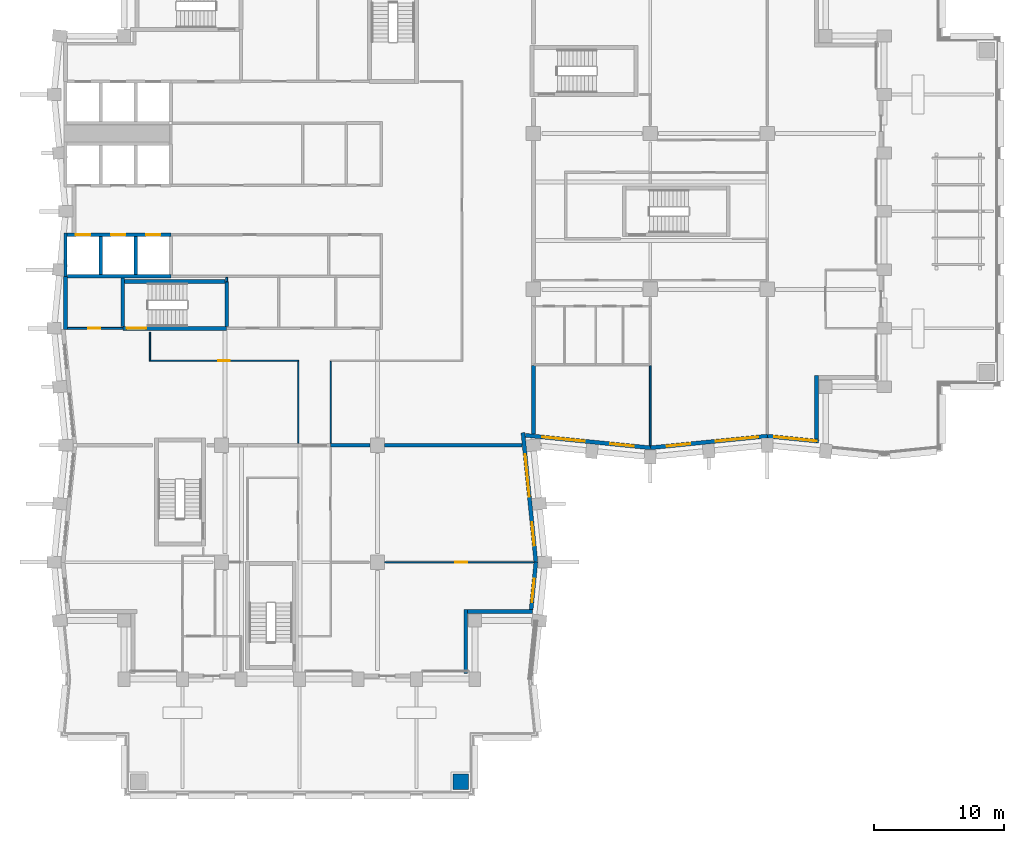
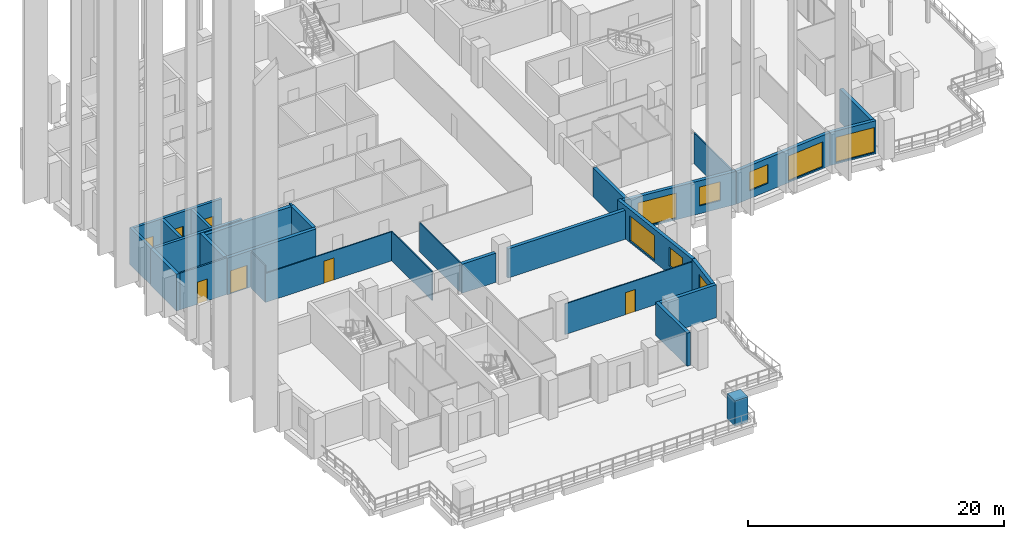
# One storey, part 11 of 18: 30 walls, 8 windows, 7 doors, 15 openings.
"""IFC4 building model written with IfcOpenShell, lengths in metres."""

from ifc_helpers import new_model, si_unit, direction, frame, frame_2d, origin, place, context, subcontext, project, spatial, polyline, rectangle, outline, extrude, material, layer, layer_set, type_object, element, fill, save


model = new_model("IFC4")

# Units and contexts
model_context = context("Model", 3, precision=1e-05, world=origin(), true_north=direction((0.0, 1.0)))
body_context = subcontext(model_context, "Body", "Model", "MODEL_VIEW")
ifc_project = project(units=[si_unit("LENGTHUNIT", "METRE"), si_unit("AREAUNIT", "SQUARE_METRE"), si_unit("VOLUMEUNIT", "CUBIC_METRE"), si_unit("PLANEANGLEUNIT", "RADIAN"), si_unit("MASSUNIT", "GRAM", prefix="KILO")], contexts=[model_context])

# Site, building, storey
site_placement = place(None, origin())
site = spatial("IfcSite", under=ifc_project, at=site_placement, CompositionType="ELEMENT")
building_placement = place(site_placement, origin())
building = spatial("IfcBuilding", under=site, at=building_placement, Name="Brondeck Convention Tower", CompositionType="ELEMENT")
storey_placement = place(building_placement, frame((0.0, 0.0, 143.39990234375)))
storey = spatial("IfcBuildingStorey", under=building, at=storey_placement, Name="L34", CompositionType="ELEMENT", Elevation=143.39990234375)

# Walls
ifc_material_1 = material(Name="Concrete compartment wall C30/37", Category="concrete")
ifc_layer_1 = layer(ifc_material_1, 0.300048828125)
ifc_layer_set_1 = layer_set([ifc_layer_1], Name="Compartment wall 300")
wall_type_1 = type_object("IfcWallType", Name="Compartment wall 300", PredefinedType="PARTITIONING", material=ifc_layer_set_1)
wall_1_placement = place(storey_placement, frame((20.39990234375, 27.0, 0.0), z_axis=(0.0, 0.0, 1.0), x_axis=(1.0, 0.0, 0.0)))
element("IfcWall", 1, at=wall_1_placement, inside=storey, type_object=wall_type_1, Name="FLR-L34-W025", PredefinedType="PARTITIONING", context=body_context, shape_type="SweptSolid", body=[
    extrude(rectangle(XDim=3.045166015625, YDim=0.300048828125, at=frame_2d((1.5224609375, 0.0))), origin(), (0.0, 0.0, 1.0), 2.780029296875),
])
wall_2_placement = place(storey_placement, frame((24.554931640625, 27.0, 0.0), z_axis=(0.0, 0.0, 1.0), x_axis=(1.0, 0.0, 0.0)))
element("IfcWall", 2, at=wall_2_placement, inside=storey, type_object=wall_type_1, Name="FLR-L34-W026", PredefinedType="PARTITIONING", context=body_context, shape_type="SweptSolid", body=[
    extrude(rectangle(XDim=10.57080078125, YDim=0.300048828125, at=frame_2d((5.285400390625, 0.0))), origin(), (0.0, 0.0, 1.0), 2.780029296875),
])
wall_3_placement = place(storey_placement, frame((36.0, 27.874267578125, 0.0), z_axis=(0.0, 0.0, 1.0), x_axis=(0.0, 1.0, 0.0)))
element("IfcWall", 3, at=wall_3_placement, inside=storey, type_object=wall_type_1, Name="FLR-L34-W029", PredefinedType="PARTITIONING", context=body_context, shape_type="SweptSolid", body=[
    extrude(rectangle(XDim=5.26318359375, YDim=0.300048828125, at=frame_2d((2.631591796875, 0.0))), origin(), (0.0, 0.0, 1.0), 2.780029296875),
])
ifc_material_2 = material(Name="Concrete C70/85", Category="concrete")
ifc_layer_2 = layer(ifc_material_2, 0.300048828125)
ifc_layer_set_2 = layer_set([ifc_layer_2], Name="Core outer wall 300 Concrete C70/85")
wall_type_2 = type_object("IfcWallType", Name="Core outer wall 300 Concrete C70/85", PredefinedType="SHEAR", material=ifc_layer_set_2)
wall_4_placement = place(storey_placement, frame((0.0, 35.925048828125, 0.0), z_axis=(0.0, 0.0, 1.0), x_axis=(0.0, 1.0, 0.0)))
element("IfcWall", 4, at=wall_4_placement, inside=storey, type_object=wall_type_2, Name="L34 core wall", PredefinedType="SHEAR", context=body_context, shape_type="SweptSolid", body=[
    extrude(rectangle(XDim=4.074951171875, YDim=0.300048828125, at=frame_2d((2.03759765625, 0.0))), origin(), (0.0, 0.0, 1.0), 3.5),
])

# Wall, opening, door
ifc_material_3 = material(Name="Fire-rated gypsum board partition")
ifc_layer_3 = layer(ifc_material_3, 0.14990234375)
ifc_layer_set_3 = layer_set([ifc_layer_3], Name="Core partition 150 EI 60")
wall_type_3 = type_object("IfcWallType", Name="Core partition 150 EI 60", PredefinedType="PARTITIONING", material=ifc_layer_set_3)
wall_5_placement = place(storey_placement, frame((0.14990234375, 36.0, 0.0), z_axis=(0.0, 0.0, 1.0), x_axis=(1.0, 0.0, 0.0)))
wall_5 = element("IfcWall", 5, at=wall_5_placement, inside=storey, type_object=wall_type_3, Name="L34 core wall", PredefinedType="PARTITIONING", context=body_context, shape_type="SweptSolid", body=[
    extrude(rectangle(XDim=4.25, YDim=0.14990234375, at=frame_2d((2.125, 0.0))), origin(), (0.0, 0.0, 1.0), 3.5),
])
opening_1_placement = place(wall_5_placement, frame((1.60009765625, 0.0, 0.0)))
opening_1 = element("IfcOpeningElement", 6, at=opening_1_placement, cuts=wall_5, Name="Opening C20-06", PredefinedType="OPENING", context=body_context, shape_type="SweptSolid", body=[
    extrude(rectangle(XDim=0.89990234375, YDim=2.10009765625, at=frame_2d((0.449951171875, 1.050048828125))), frame((0.0, 0.0849609375, 0.0), z_axis=(0.0, -1.0, 0.0), x_axis=(1.0, 0.0, 0.0)), (0.0, 0.0, 1.0), 0.169921875),
])
ifc_material_4 = material(Name="Steel fire door", Category="steel")
door_type_1 = type_object("IfcDoorType", Name="Room door 900x2100 EI 60", OperationType="NOTDEFINED", PredefinedType="DOOR", material=ifc_material_4)
door_1_placement = place(opening_1_placement, origin())
door_1 = element("IfcDoor", 7, at=door_1_placement, inside=storey, type_object=door_type_1, Name="L34 Room door FRW-1", OperationType="SINGLE_SWING_LEFT", OverallHeight=2.10009765625, OverallWidth=0.89990234375, PredefinedType="DOOR", context=body_context, shape_type="SweptSolid", body=[
    extrude(rectangle(XDim=0.89990234375, YDim=2.10009765625, at=frame_2d((0.449951171875, 1.050048828125))), frame((0.0, 0.02490234375, 0.0), z_axis=(0.0, -1.0, 0.0), x_axis=(1.0, 0.0, 0.0)), (0.0, 0.0, 1.0), 0.050048828125),
])
fill(opening_1, door_1)

# Walls
wall_6_placement = place(storey_placement, frame((12.39990234375, 39.60009765625, 0.0), z_axis=(0.0, 0.0, 1.0), x_axis=(0.0, 1.0, 0.0)))
element("IfcWall", 8, at=wall_6_placement, inside=storey, type_object=wall_type_3, Name="L34 core wall", PredefinedType="PARTITIONING", context=body_context, shape_type="SweptSolid", body=[
    extrude(rectangle(XDim=0.324951171875, YDim=0.14990234375, at=frame_2d((0.16259765625, 0.0))), origin(), (0.0, 0.0, 1.0), 3.5),
])
ifc_material_5 = material(Name="Precast concrete C50/60 bronze finish", Category="concrete")
ifc_layer_4 = layer(ifc_material_5, 0.070068359375, Name="Bronze precast facing")
ifc_material_6 = material(Name="Mineral wool")
ifc_layer_5 = layer(ifc_material_6, 0.159912109375, Name="Insulation")
ifc_material_7 = material(Name="Concrete C35/45", Category="concrete")
ifc_layer_6 = layer(ifc_material_7, 0.070068359375, Name="Backing")
ifc_layer_set_4 = layer_set([ifc_layer_4, ifc_layer_5, ifc_layer_6], Name="External infill wall, precast concrete C50/60 bronze facing")
wall_type_4 = type_object("IfcWallType", Name="External infill wall, precast concrete C50/60 bronze facing", PredefinedType="SOLIDWALL", material=ifc_layer_set_4)
wall_7_placement = place(storey_placement, frame((30.800048828125, 14.35009765625, 0.0), z_axis=(0.0, 0.0, 1.0), x_axis=(0.0, -1.0, 0.0)))
element("IfcWall", 9, at=wall_7_placement, inside=storey, type_object=wall_type_4, Name="ENV-EW-L34-P1-NC-SEB9-01", PredefinedType="SOLIDWALL", context=body_context, shape_type="SweptSolid", body=[
    extrude(rectangle(XDim=4.900146484375, YDim=0.300048828125, at=frame_2d((2.4501953125, 0.0))), origin(), (0.0, 0.0, 1.0), 3.150146484375),
])
wall_8_placement = place(storey_placement, frame((35.952392578125, 14.199951171875, 0.0), z_axis=(0.0, 0.0, 1.0), x_axis=(-1.0, 0.0, 0.0)))
element("IfcWall", 10, at=wall_8_placement, inside=storey, type_object=wall_type_4, Name="ENV-EW-L34-P1-NC-SEB9-02", PredefinedType="SOLIDWALL", context=body_context, shape_type="SweptSolid", body=[
    extrude(rectangle(XDim=5.00244140625, YDim=0.300048828125, at=frame_2d((2.501220703125, 0.0))), origin(), (0.0, 0.0, 1.0), 3.150146484375),
])

# Wall, opening, window
wall_9_placement = place(storey_placement, frame((36.197998046875, 18.014892578125, 0.0), z_axis=(0.0, 0.0, 1.0), x_axis=(-0.099529980022, -0.99503456376, 0.0)))
wall_9 = element("IfcWall", 11, at=wall_9_placement, inside=storey, type_object=wall_type_4, Name="ENV-EW-L34-P1-B-E-02", PredefinedType="SOLIDWALL", context=body_context, shape_type="SweptSolid", body=[
    extrude(rectangle(XDim=3.681884765625, YDim=0.300048828125, at=frame_2d((1.8408203125, 0.0))), origin(), (0.0, 0.0, 1.0), 3.150146484375),
])
opening_2_placement = place(wall_9_placement, frame((1.30615234375, 0.0, 0.75)))
opening_2 = element("IfcOpeningElement", 12, at=opening_2_placement, cuts=wall_9, Name="Opening W10", PredefinedType="OPENING", context=body_context, shape_type="SweptSolid", body=[
    extrude(rectangle(XDim=1.800048828125, YDim=1.800048828125, at=frame_2d((0.89990234375, 0.89990234375))), frame((0.0, 0.159912109375, 0.0), z_axis=(0.0, -1.0, 0.0), x_axis=(1.0, 0.0, 0.0)), (0.0, 0.0, 1.0), 0.320068359375),
])
ifc_material_8 = material(Name="Bronze tinted double glazing", Category="glass")
window_type_1 = type_object("IfcWindowType", Name="Punched window, bronze tinted", PartitioningType="SINGLE_PANEL", PredefinedType="WINDOW", material=ifc_material_8)
window_1_placement = place(opening_2_placement, origin())
window_1 = element("IfcWindow", 13, at=window_1_placement, inside=storey, type_object=window_type_1, Name="ENV-WN-L34-P1-B-E-02", OverallHeight=1.800048828125, OverallWidth=1.800048828125, PartitioningType="SINGLE_PANEL", PredefinedType="WINDOW", context=body_context, shape_type="SweptSolid", body=[
    extrude(rectangle(XDim=1.800048828125, YDim=1.800048828125, at=frame_2d((0.89990234375, 0.89990234375))), frame((0.0, 0.030029296875, 0.0), z_axis=(0.0, -1.0, 0.0), x_axis=(1.0, 0.0, 0.0)), (0.0, 0.0, 1.0), 0.06005859375),
])
fill(opening_2, window_1)

# Wall, openings, windows
wall_10_placement = place(storey_placement, frame((35.2001953125, 27.964111328125, 0.0), z_axis=(0.0, 0.0, 1.0), x_axis=(0.099501297882, -0.995037432321, 0.0)))
wall_10 = element("IfcWall", 14, at=wall_10_placement, inside=storey, type_object=wall_type_4, Name="ENV-EW-L34-P1-B-E-01", PredefinedType="SOLIDWALL", context=body_context, shape_type="SweptSolid", body=[
    extrude(rectangle(XDim=9.98388671875, YDim=0.300048828125, at=frame_2d((4.991943359375, 0.0))), origin(), (0.0, 0.0, 1.0), 3.150146484375),
])
opening_3_placement = place(wall_10_placement, frame((1.650146484375, 0.0, 0.14990234375)))
opening_3 = element("IfcOpeningElement", 15, at=opening_3_placement, cuts=wall_10, Name="Opening W9", PredefinedType="OPENING", context=body_context, shape_type="SweptSolid", body=[
    extrude(rectangle(XDim=3.300048828125, YDim=2.39990234375, at=frame_2d((1.64990234375, 1.199951171875))), frame((0.0, 0.159912109375, 0.0), z_axis=(0.0, -1.0, 0.0), x_axis=(1.0, 0.0, 0.0)), (0.0, 0.0, 1.0), 0.320068359375),
])
opening_4_placement = place(wall_10_placement, frame((6.922607421875, 0.0, 0.75)))
opening_4 = element("IfcOpeningElement", 16, at=opening_4_placement, cuts=wall_10, Name="Opening W10", PredefinedType="OPENING", context=body_context, shape_type="SweptSolid", body=[
    extrude(rectangle(XDim=1.800048828125, YDim=1.800048828125, at=frame_2d((0.89990234375, 0.89990234375))), frame((0.0, 0.159912109375, 0.0), z_axis=(0.0, -1.0, 0.0), x_axis=(1.0, 0.0, 0.0)), (0.0, 0.0, 1.0), 0.320068359375),
])
window_type_2 = type_object("IfcWindowType", Name="Glazed flute window, bronze tinted", PartitioningType="SINGLE_PANEL", PredefinedType="WINDOW", material=ifc_material_8)
window_2_placement = place(opening_3_placement, origin())
window_2 = element("IfcWindow", 17, at=window_2_placement, inside=storey, type_object=window_type_2, Name="ENV-WN-L34-P1-B-E-00", OverallHeight=2.39990234375, OverallWidth=3.300048828125, PartitioningType="SINGLE_PANEL", PredefinedType="WINDOW", context=body_context, shape_type="SweptSolid", body=[
    extrude(rectangle(XDim=3.300048828125, YDim=2.39990234375, at=frame_2d((1.64990234375, 1.199951171875))), frame((0.0, 0.030029296875, 0.0), z_axis=(0.0, -1.0, 0.0), x_axis=(1.0, 0.0, 0.0)), (0.0, 0.0, 1.0), 0.06005859375),
])
fill(opening_3, window_2)
window_3_placement = place(opening_4_placement, origin())
window_3 = element("IfcWindow", 18, at=window_3_placement, inside=storey, type_object=window_type_1, Name="ENV-WN-L34-P1-B-E-01", OverallHeight=1.800048828125, OverallWidth=1.800048828125, PartitioningType="SINGLE_PANEL", PredefinedType="WINDOW", context=body_context, shape_type="SweptSolid", body=[
    extrude(rectangle(XDim=1.800048828125, YDim=1.800048828125, at=frame_2d((0.89990234375, 0.89990234375))), frame((0.0, 0.030029296875, 0.0), z_axis=(0.0, -1.0, 0.0), x_axis=(1.0, 0.0, 0.0)), (0.0, 0.0, 1.0), 0.06005859375),
])
fill(opening_4, window_3)

wall_11_placement = place(storey_placement, frame((45.014892578125, 26.802001953125, 0.0), z_axis=(0.0, 0.0, 1.0), x_axis=(-0.995037689759, 0.099498723402, 0.0)))
wall_11 = element("IfcWall", 19, at=wall_11_placement, inside=storey, type_object=wall_type_4, Name="ENV-EW-L34-P1-A-S-00", PredefinedType="SOLIDWALL", context=body_context, shape_type="SweptSolid", body=[
    extrude(rectangle(XDim=9.677490234375, YDim=0.300048828125, at=frame_2d((4.8388671875, 0.0))), origin(), (0.0, 0.0, 1.0), 3.150146484375),
])
opening_5_placement = place(wall_11_placement, frame((1.30615234375, 0.0, 0.75)))
opening_5 = element("IfcOpeningElement", 20, at=opening_5_placement, cuts=wall_11, Name="Opening W10", PredefinedType="OPENING", context=body_context, shape_type="SweptSolid", body=[
    extrude(rectangle(XDim=1.800048828125, YDim=1.800048828125, at=frame_2d((0.89990234375, 0.89990234375))), frame((0.0, 0.159912109375, 0.0), z_axis=(0.0, -1.0, 0.0), x_axis=(1.0, 0.0, 0.0)), (0.0, 0.0, 1.0), 0.320068359375),
])
opening_6_placement = place(wall_11_placement, frame((5.07861328125, 0.0, 0.14990234375)))
opening_6 = element("IfcOpeningElement", 21, at=opening_6_placement, cuts=wall_11, Name="Opening W9", PredefinedType="OPENING", context=body_context, shape_type="SweptSolid", body=[
    extrude(rectangle(XDim=3.300048828125, YDim=2.39990234375, at=frame_2d((1.64990234375, 1.199951171875))), frame((0.0, 0.159912109375, 0.0), z_axis=(0.0, -1.0, 0.0), x_axis=(1.0, 0.0, 0.0)), (0.0, 0.0, 1.0), 0.320068359375),
])
window_4_placement = place(opening_6_placement, origin())
window_4 = element("IfcWindow", 22, at=window_4_placement, inside=storey, type_object=window_type_2, Name="ENV-WN-L34-P1-A-S-00", OverallHeight=2.39990234375, OverallWidth=3.300048828125, PartitioningType="SINGLE_PANEL", PredefinedType="WINDOW", context=body_context, shape_type="SweptSolid", body=[
    extrude(rectangle(XDim=3.300048828125, YDim=2.39990234375, at=frame_2d((1.64990234375, 1.199951171875))), frame((0.0, 0.030029296875, 0.0), z_axis=(0.0, -1.0, 0.0), x_axis=(1.0, 0.0, 0.0)), (0.0, 0.0, 1.0), 0.06005859375),
])
fill(opening_6, window_4)
window_5_placement = place(opening_5_placement, origin())
window_5 = element("IfcWindow", 23, at=window_5_placement, inside=storey, type_object=window_type_1, Name="ENV-WN-L34-P1-A-S-01", OverallHeight=1.800048828125, OverallWidth=1.800048828125, PartitioningType="SINGLE_PANEL", PredefinedType="WINDOW", context=body_context, shape_type="SweptSolid", body=[
    extrude(rectangle(XDim=1.800048828125, YDim=1.800048828125, at=frame_2d((0.89990234375, 0.89990234375))), frame((0.0, 0.030029296875, 0.0), z_axis=(0.0, -1.0, 0.0), x_axis=(1.0, 0.0, 0.0)), (0.0, 0.0, 1.0), 0.06005859375),
])
fill(opening_5, window_5)

wall_12_placement = place(storey_placement, frame((54.014892578125, 27.705078125, 0.0), z_axis=(0.0, 0.0, 1.0), x_axis=(-0.995035316196, -0.099522457379, 0.0)))
wall_12 = element("IfcWall", 24, at=wall_12_placement, inside=storey, type_object=wall_type_4, Name="ENV-EW-L34-P1-A-S-02", PredefinedType="SOLIDWALL", context=body_context, shape_type="SweptSolid", body=[
    extrude(rectangle(XDim=9.030029296875, YDim=0.300048828125, at=frame_2d((4.51513671875, 0.0))), origin(), (0.0, 0.0, 1.0), 3.150146484375),
])
opening_7_placement = place(wall_12_placement, frame((0.6962890625, 0.0, 0.14990234375)))
opening_7 = element("IfcOpeningElement", 25, at=opening_7_placement, cuts=wall_12, Name="Opening W9", PredefinedType="OPENING", context=body_context, shape_type="SweptSolid", body=[
    extrude(rectangle(XDim=3.300048828125, YDim=2.39990234375, at=frame_2d((1.64990234375, 1.199951171875))), frame((0.0, 0.159912109375, 0.0), z_axis=(0.0, -1.0, 0.0), x_axis=(1.0, 0.0, 0.0)), (0.0, 0.0, 1.0), 0.320068359375),
])
opening_8_placement = place(wall_12_placement, frame((5.968505859375, 0.0, 0.75)))
opening_8 = element("IfcOpeningElement", 26, at=opening_8_placement, cuts=wall_12, Name="Opening W10", PredefinedType="OPENING", context=body_context, shape_type="SweptSolid", body=[
    extrude(rectangle(XDim=1.800048828125, YDim=1.800048828125, at=frame_2d((0.89990234375, 0.89990234375))), frame((0.0, 0.159912109375, 0.0), z_axis=(0.0, -1.0, 0.0), x_axis=(1.0, 0.0, 0.0)), (0.0, 0.0, 1.0), 0.320068359375),
])
window_6_placement = place(opening_7_placement, origin())
window_6 = element("IfcWindow", 27, at=window_6_placement, inside=storey, type_object=window_type_2, Name="ENV-WN-L34-P1-A-S-03", OverallHeight=2.39990234375, OverallWidth=3.300048828125, PartitioningType="SINGLE_PANEL", PredefinedType="WINDOW", context=body_context, shape_type="SweptSolid", body=[
    extrude(rectangle(XDim=3.300048828125, YDim=2.39990234375, at=frame_2d((1.64990234375, 1.199951171875))), frame((0.0, 0.030029296875, 0.0), z_axis=(0.0, -1.0, 0.0), x_axis=(1.0, 0.0, 0.0)), (0.0, 0.0, 1.0), 0.06005859375),
])
fill(opening_7, window_6)
window_7_placement = place(opening_8_placement, origin())
window_7 = element("IfcWindow", 28, at=window_7_placement, inside=storey, type_object=window_type_1, Name="ENV-WN-L34-P1-A-S-02", OverallHeight=1.800048828125, OverallWidth=1.800048828125, PartitioningType="SINGLE_PANEL", PredefinedType="WINDOW", context=body_context, shape_type="SweptSolid", body=[
    extrude(rectangle(XDim=1.800048828125, YDim=1.800048828125, at=frame_2d((0.89990234375, 0.89990234375))), frame((0.0, 0.030029296875, 0.0), z_axis=(0.0, -1.0, 0.0), x_axis=(1.0, 0.0, 0.0)), (0.0, 0.0, 1.0), 0.06005859375),
])
fill(opening_8, window_7)

# Wall, opening, window
wall_13_placement = place(storey_placement, frame((57.96484375, 27.306884765625, 0.0), z_axis=(0.0, 0.0, 1.0), x_axis=(-0.99503596767, 0.099515943658, 0.0)))
wall_13 = element("IfcWall", 29, at=wall_13_placement, inside=storey, type_object=wall_type_4, Name="ENV-EW-L34-P1-A-S-04", PredefinedType="SOLIDWALL", context=body_context, shape_type="SweptSolid", body=[
    extrude(rectangle(XDim=3.95458984375, YDim=0.300048828125, at=frame_2d((1.977294921875, 0.0))), origin(), (0.0, 0.0, 1.0), 3.150146484375),
])
opening_9_placement = place(wall_13_placement, frame((0.14990234375, 0.0, 0.14990234375)))
opening_9 = element("IfcOpeningElement", 30, at=opening_9_placement, cuts=wall_13, Name="Opening W9", PredefinedType="OPENING", context=body_context, shape_type="SweptSolid", body=[
    extrude(rectangle(XDim=3.300048828125, YDim=2.39990234375, at=frame_2d((1.64990234375, 1.199951171875))), frame((0.0, 0.159912109375, 0.0), z_axis=(0.0, -1.0, 0.0), x_axis=(1.0, 0.0, 0.0)), (0.0, 0.0, 1.0), 0.320068359375),
])
window_8_placement = place(opening_9_placement, origin())
window_8 = element("IfcWindow", 31, at=window_8_placement, inside=storey, type_object=window_type_2, Name="ENV-WN-L34-P1-A-S-04", OverallHeight=2.39990234375, OverallWidth=3.300048828125, PartitioningType="SINGLE_PANEL", PredefinedType="WINDOW", context=body_context, shape_type="SweptSolid", body=[
    extrude(rectangle(XDim=3.300048828125, YDim=2.39990234375, at=frame_2d((1.64990234375, 1.199951171875))), frame((0.0, 0.030029296875, 0.0), z_axis=(0.0, -1.0, 0.0), x_axis=(1.0, 0.0, 0.0)), (0.0, 0.0, 1.0), 0.06005859375),
])
fill(opening_9, window_8)

# Walls
wall_14_placement = place(storey_placement, frame((57.800048828125, 32.35009765625, 0.0), z_axis=(0.0, 0.0, 1.0), x_axis=(0.0, -1.0, 0.0)))
element("IfcWall", 32, at=wall_14_placement, inside=storey, type_object=wall_type_4, Name="ENV-EW-L34-P1-NC-SEA63-01", PredefinedType="SOLIDWALL", context=body_context, shape_type="SweptSolid", body=[
    extrude(rectangle(XDim=4.87060546875, YDim=0.300048828125, at=frame_2d((2.435302734375, 0.0))), origin(), (0.0, 0.0, 1.0), 3.150146484375),
])
ifc_layer_7 = layer(ifc_material_2, 0.25)
ifc_layer_set_5 = layer_set([ifc_layer_7], Name="Lift shaft wall 250 Concrete C70/85")
wall_type_5 = type_object("IfcWallType", Name="Lift shaft wall 250 Concrete C70/85", PredefinedType="SHEAR", material=ifc_layer_set_5)
wall_15_placement = place(storey_placement, frame((0.14990234375, 40.0, 0.0), z_axis=(0.0, 0.0, 1.0), x_axis=(1.0, 0.0, 0.0)))
element("IfcWall", 33, at=wall_15_placement, inside=storey, type_object=wall_type_5, Name="L34 core wall", PredefinedType="SHEAR", context=body_context, shape_type="SweptSolid", body=[
    extrude(rectangle(XDim=7.9501953125, YDim=0.25, at=frame_2d((3.97509765625, 0.0))), origin(), (0.0, 0.0, 1.0), 3.5),
])

# Wall, openings, doors
wall_16_placement = place(storey_placement, frame((0.125, 43.199951171875, 0.0), z_axis=(0.0, 0.0, 1.0), x_axis=(1.0, 0.0, 0.0)))
wall_16 = element("IfcWall", 34, at=wall_16_placement, inside=storey, type_object=wall_type_5, Name="L34 core wall", PredefinedType="SHEAR", context=body_context, shape_type="SweptSolid", body=[
    extrude(rectangle(XDim=7.97509765625, YDim=0.25, at=frame_2d((3.987548828125, 0.0))), origin(), (0.0, 0.0, 1.0), 3.5),
])
opening_10_placement = place(wall_16_placement, frame((0.675048828125, 0.0, 0.0)))
opening_10 = element("IfcOpeningElement", 35, at=opening_10_placement, cuts=wall_16, Name="Opening C20-23", PredefinedType="OPENING", context=body_context, shape_type="SweptSolid", body=[
    extrude(rectangle(XDim=1.10009765625, YDim=2.10009765625, at=frame_2d((0.550048828125, 1.050048828125))), frame((0.0, 0.135009765625, 0.0), z_axis=(0.0, -1.0, 0.0), x_axis=(1.0, 0.0, 0.0)), (0.0, 0.0, 1.0), 0.27001953125),
])
opening_11_placement = place(wall_16_placement, frame((3.375, 0.0, 0.0)))
opening_11 = element("IfcOpeningElement", 36, at=opening_11_placement, cuts=wall_16, Name="Opening C20-24", PredefinedType="OPENING", context=body_context, shape_type="SweptSolid", body=[
    extrude(rectangle(XDim=1.10009765625, YDim=2.10009765625, at=frame_2d((0.550048828125, 1.050048828125))), frame((0.0, 0.135009765625, 0.0), z_axis=(0.0, -1.0, 0.0), x_axis=(1.0, 0.0, 0.0)), (0.0, 0.0, 1.0), 0.27001953125),
])
opening_12_placement = place(wall_16_placement, frame((6.074951171875, 0.0, 0.0)))
opening_12 = element("IfcOpeningElement", 37, at=opening_12_placement, cuts=wall_16, Name="Opening C20-25", PredefinedType="OPENING", context=body_context, shape_type="SweptSolid", body=[
    extrude(rectangle(XDim=1.10009765625, YDim=2.10009765625, at=frame_2d((0.550048828125, 1.050048828125))), frame((0.0, 0.135009765625, 0.0), z_axis=(0.0, -1.0, 0.0), x_axis=(1.0, 0.0, 0.0)), (0.0, 0.0, 1.0), 0.27001953125),
])
ifc_material_9 = material(Name="Stainless steel lift door", Category="steel")
door_type_2 = type_object("IfcDoorType", Name="Lift landing door 1100x2100 EI 180", OperationType="DOUBLE_DOOR_SLIDING", PredefinedType="DOOR", material=ifc_material_9)
door_2_placement = place(opening_10_placement, origin())
door_2 = element("IfcDoor", 38, at=door_2_placement, inside=storey, type_object=door_type_2, Name="L34 Lift landing door HR1", OperationType="DOUBLE_DOOR_SLIDING", OverallHeight=2.10009765625, OverallWidth=1.10009765625, PredefinedType="DOOR", context=body_context, shape_type="SweptSolid", body=[
    extrude(rectangle(XDim=1.10009765625, YDim=2.10009765625, at=frame_2d((0.550048828125, 1.050048828125))), frame((0.0, 0.02490234375, 0.0), z_axis=(0.0, -1.0, 0.0), x_axis=(1.0, 0.0, 0.0)), (0.0, 0.0, 1.0), 0.050048828125),
])
fill(opening_10, door_2)
door_3_placement = place(opening_11_placement, origin())
door_3 = element("IfcDoor", 39, at=door_3_placement, inside=storey, type_object=door_type_2, Name="L34 Lift landing door HR2", OperationType="DOUBLE_DOOR_SLIDING", OverallHeight=2.10009765625, OverallWidth=1.10009765625, PredefinedType="DOOR", context=body_context, shape_type="SweptSolid", body=[
    extrude(rectangle(XDim=1.10009765625, YDim=2.10009765625, at=frame_2d((0.550048828125, 1.050048828125))), frame((0.0, 0.02490234375, 0.0), z_axis=(0.0, -1.0, 0.0), x_axis=(1.0, 0.0, 0.0)), (0.0, 0.0, 1.0), 0.050048828125),
])
fill(opening_11, door_3)
door_4_placement = place(opening_12_placement, origin())
door_4 = element("IfcDoor", 40, at=door_4_placement, inside=storey, type_object=door_type_2, Name="L34 Lift landing door HR3", OperationType="DOUBLE_DOOR_SLIDING", OverallHeight=2.10009765625, OverallWidth=1.10009765625, PredefinedType="DOOR", context=body_context, shape_type="SweptSolid", body=[
    extrude(rectangle(XDim=1.10009765625, YDim=2.10009765625, at=frame_2d((0.550048828125, 1.050048828125))), frame((0.0, 0.02490234375, 0.0), z_axis=(0.0, -1.0, 0.0), x_axis=(1.0, 0.0, 0.0)), (0.0, 0.0, 1.0), 0.050048828125),
])
fill(opening_12, door_4)

# Walls
wall_17_placement = place(storey_placement, frame((0.0, 40.0, 0.0), z_axis=(0.0, 0.0, 1.0), x_axis=(0.0, 1.0, 0.0)))
element("IfcWall", 41, at=wall_17_placement, inside=storey, type_object=wall_type_5, Name="L34 core wall", PredefinedType="SHEAR", context=body_context, shape_type="SweptSolid", body=[
    extrude(rectangle(XDim=3.324951171875, YDim=0.25, at=frame_2d((1.66259765625, 0.0))), origin(), (0.0, 0.0, 1.0), 3.5),
])
for number, where, z_axis, x_axis, name in (
    (42, (2.699951171875, 40.125, 0.0), (0.0, 0.0, 1.0), (0.0, 1.0, 0.0), "L34 core wall"),
    (43, (5.39990234375, 40.125, 0.0), (0.0, 0.0, 1.0), (0.0, 1.0, 0.0), "L34 core wall"),
):
    element("IfcWall", number, at=place(storey_placement, frame(where, z_axis=z_axis, x_axis=x_axis)), inside=storey, type_object=wall_type_5, Name=name, PredefinedType="SHEAR", context=body_context, shape_type="SweptSolid", body=[
        extrude(rectangle(XDim=2.949951171875, YDim=0.25, at=frame_2d((1.47509765625, 0.0))), origin(), (0.0, 0.0, 1.0), 3.5),
    ])
ifc_material_10 = material(Name="Gypsum board shaft wall on steel studs", Category="steel")
ifc_layer_8 = layer(ifc_material_10, 0.125)
ifc_layer_set_6 = layer_set([ifc_layer_8], Name="Riser wall 125")
wall_type_6 = type_object("IfcWallType", Name="Riser wall 125", PredefinedType="PARTITIONING", material=ifc_layer_set_6)
wall_18_placement = place(storey_placement, frame((45.0, 33.137451171875, 0.0), z_axis=(0.0, 0.0, 1.0), x_axis=(0.0, -1.0, 0.0)))
element("IfcWall", 44, at=wall_18_placement, inside=storey, type_object=wall_type_6, Name="FLR-L34-W030", PredefinedType="PARTITIONING", context=body_context, shape_type="SweptSolid", body=[
    extrude(rectangle(XDim=6.163330078125, YDim=0.125, at=frame_2d((3.08154296875, 0.0))), origin(), (0.0, 0.0, 1.0), 2.93017578125),
])

# Wall, opening, door
ifc_material_11 = material(Name="Gypsum board partition on steel studs", Category="steel")
ifc_layer_9 = layer(ifc_material_11, 0.10009765625)
ifc_layer_set_7 = layer_set([ifc_layer_9], Name="Room partition 100")
wall_type_7 = type_object("IfcWallType", Name="Room partition 100", PredefinedType="PARTITIONING", material=ifc_layer_set_7)
wall_19_placement = place(storey_placement, frame((36.02587890625, 18.0, 0.0), z_axis=(0.0, 0.0, 1.0), x_axis=(-1.0, 0.0, 0.0)))
wall_19 = element("IfcWall", 45, at=wall_19_placement, inside=storey, type_object=wall_type_7, Name="FLR-L34-W013", PredefinedType="PARTITIONING", context=body_context, shape_type="SweptSolid", body=[
    extrude(rectangle(XDim=11.470947265625, YDim=0.10009765625, at=frame_2d((5.7353515625, 0.0))), origin(), (0.0, 0.0, 1.0), 2.93017578125),
])
opening_13_placement = place(wall_19_placement, frame((5.125732421875, 0.0, 0.0)))
opening_13 = element("IfcOpeningElement", 46, at=opening_13_placement, cuts=wall_19, Name="Opening OF-F-015", PredefinedType="OPENING", context=body_context, shape_type="SweptSolid", body=[
    extrude(rectangle(XDim=0.89990234375, YDim=2.10009765625, at=frame_2d((0.449951171875, 1.050048828125))), frame((0.0, 0.06005859375, 0.0), z_axis=(0.0, -1.0, 0.0), x_axis=(1.0, 0.0, 0.0)), (0.0, 0.0, 1.0), 0.1201171875),
])
ifc_material_12 = material(Name="Solid timber door leaf", Category="wood")
door_type_3 = type_object("IfcDoorType", Name="Single door 900", OperationType="NOTDEFINED", PredefinedType="DOOR", material=ifc_material_12)
door_5_placement = place(opening_13_placement, origin())
door_5 = element("IfcDoor", 47, at=door_5_placement, inside=storey, type_object=door_type_3, Name="Door OF-F-015", OperationType="SINGLE_SWING_LEFT", OverallHeight=2.10009765625, OverallWidth=0.89990234375, PredefinedType="DOOR", context=body_context, shape_type="SweptSolid", body=[
    extrude(rectangle(XDim=0.89990234375, YDim=2.10009765625, at=frame_2d((0.449951171875, 1.050048828125))), frame((0.0, 0.02490234375, 0.0), z_axis=(0.0, -1.0, 0.0), x_axis=(1.0, 0.0, 0.0)), (0.0, 0.0, 1.0), 0.050048828125),
])
fill(opening_13, door_5)

# Walls
for number, where, z_axis, x_axis, name in (
    (48, (17.89990234375, 27.169921875, 0.0), (0.0, 0.0, 1.0), (0.0, 1.0, 0.0), "FLR-L34-W027"),
    (49, (20.39990234375, 33.449951171875, 0.0), (0.0, 0.0, 1.0), (0.0, -1.0, 0.0), "FLR-L34-W036"),
):
    element("IfcWall", number, at=place(storey_placement, frame(where, z_axis=z_axis, x_axis=x_axis)), inside=storey, type_object=wall_type_7, Name=name, PredefinedType="PARTITIONING", context=body_context, shape_type="SweptSolid", body=[
        extrude(rectangle(XDim=6.280029296875, YDim=0.10009765625, at=frame_2d((3.14013671875, 0.0))), origin(), (0.0, 0.0, 1.0), 2.780029296875),
    ])

# Wall, opening, door
wall_20_placement = place(storey_placement, frame((17.949951171875, 33.5, 0.0), z_axis=(0.0, 0.0, 1.0), x_axis=(-1.0, 0.0, 0.0)))
wall_20 = element("IfcWall", 50, at=wall_20_placement, inside=storey, type_object=wall_type_7, Name="FLR-L34-W037", PredefinedType="PARTITIONING", context=body_context, shape_type="SweptSolid", body=[
    extrude(rectangle(XDim=11.5, YDim=0.10009765625, at=frame_2d((5.75, 0.0))), origin(), (0.0, 0.0, 1.0), 2.780029296875),
])
opening_14_placement = place(wall_20_placement, frame((5.300048828125, 0.0, 0.0)))
opening_14 = element("IfcOpeningElement", 51, at=opening_14_placement, cuts=wall_20, Name="Opening OF-F-017", PredefinedType="OPENING", context=body_context, shape_type="SweptSolid", body=[
    extrude(rectangle(XDim=0.89990234375, YDim=2.10009765625, at=frame_2d((0.449951171875, 1.050048828125))), frame((0.0, 0.06005859375, 0.0), z_axis=(0.0, -1.0, 0.0), x_axis=(1.0, 0.0, 0.0)), (0.0, 0.0, 1.0), 0.1201171875),
])
door_6_placement = place(opening_14_placement, origin())
door_6 = element("IfcDoor", 52, at=door_6_placement, inside=storey, type_object=door_type_3, Name="Door OF-F-017", OperationType="SINGLE_SWING_LEFT", OverallHeight=2.10009765625, OverallWidth=0.89990234375, PredefinedType="DOOR", context=body_context, shape_type="SweptSolid", body=[
    extrude(rectangle(XDim=0.89990234375, YDim=2.10009765625, at=frame_2d((0.449951171875, 1.050048828125))), frame((0.0, 0.02490234375, 0.0), z_axis=(0.0, -1.0, 0.0), x_axis=(1.0, 0.0, 0.0)), (0.0, 0.0, 1.0), 0.050048828125),
])
fill(opening_14, door_6)

# Wall
wall_21_placement = place(storey_placement, frame((6.5, 33.550048828125, 0.0), z_axis=(0.0, 0.0, 1.0), x_axis=(0.0, 1.0, 0.0)))
element("IfcWall", 53, at=wall_21_placement, inside=storey, type_object=wall_type_7, Name="FLR-L34-W039", PredefinedType="PARTITIONING", context=body_context, shape_type="SweptSolid", body=[
    extrude(rectangle(XDim=2.14990234375, YDim=0.10009765625, at=frame_2d((1.074951171875, 0.0))), origin(), (0.0, 0.0, 1.0), 3.47998046875),
])

# Wall, opening, door
ifc_layer_10 = layer(ifc_material_2, 0.300048828125)
ifc_layer_set_8 = layer_set([ifc_layer_10], Name="Stair enclosure wall 300 Concrete C70/85")
wall_type_8 = type_object("IfcWallType", Name="Stair enclosure wall 300 Concrete C70/85", PredefinedType="SHEAR", material=ifc_layer_set_8)
wall_22_placement = place(storey_placement, frame((4.39990234375, 36.0, 0.0), z_axis=(0.0, 0.0, 1.0), x_axis=(1.0, 0.0, 0.0)))
wall_22 = element("IfcWall", 54, at=wall_22_placement, inside=storey, type_object=wall_type_8, Name="L34 core wall", PredefinedType="SHEAR", context=body_context, shape_type="SweptSolid", body=[
    extrude(rectangle(XDim=8.0, YDim=0.300048828125, at=frame_2d((4.0, 0.0))), origin(), (0.0, 0.0, 1.0), 3.5),
])
opening_15_placement = place(wall_22_placement, frame((0.300048828125, 0.0, 0.0)))
opening_15 = element("IfcOpeningElement", 55, at=opening_15_placement, cuts=wall_22, Name="Opening C20-13", PredefinedType="OPENING", context=body_context, shape_type="SweptSolid", body=[
    extrude(rectangle(XDim=1.5, YDim=2.199951171875, at=frame_2d((0.75, 1.10009765625))), frame((0.0, 0.159912109375, 0.0), z_axis=(0.0, -1.0, 0.0), x_axis=(1.0, 0.0, 0.0)), (0.0, 0.0, 1.0), 0.320068359375),
])
door_type_4 = type_object("IfcDoorType", Name="Stair door 1500x2200 EI 90", OperationType="NOTDEFINED", PredefinedType="DOOR", material=ifc_material_4)
door_7_placement = place(opening_15_placement, origin())
door_7 = element("IfcDoor", 56, at=door_7_placement, inside=storey, type_object=door_type_4, Name="L34 Stair door ST-1", OperationType="SINGLE_SWING_RIGHT", OverallHeight=2.199951171875, OverallWidth=1.5, PredefinedType="DOOR", context=body_context, shape_type="SweptSolid", body=[
    extrude(rectangle(XDim=1.5, YDim=2.199951171875, at=frame_2d((0.75, 1.10009765625))), frame((0.0, 0.02490234375, 0.0), z_axis=(0.0, -1.0, 0.0), x_axis=(1.0, 0.0, 0.0)), (0.0, 0.0, 1.0), 0.050048828125),
])
fill(opening_15, door_7)

# Walls
wall_23_placement = place(storey_placement, frame((4.550048828125, 39.60009765625, 0.0), z_axis=(0.0, 0.0, 1.0), x_axis=(1.0, 0.0, 0.0)))
element("IfcWall", 57, at=wall_23_placement, inside=storey, type_object=wall_type_8, Name="L34 core wall", PredefinedType="SHEAR", context=body_context, shape_type="SweptSolid", body=[
    extrude(rectangle(XDim=7.699951171875, YDim=0.300048828125, at=frame_2d((3.85009765625, 0.0))), origin(), (0.0, 0.0, 1.0), 3.5),
])
wall_24_placement = place(storey_placement, frame((4.39990234375, 36.14990234375, 0.0), z_axis=(0.0, 0.0, 1.0), x_axis=(0.0, 1.0, 0.0)))
element("IfcWall", 58, at=wall_24_placement, inside=storey, type_object=wall_type_8, Name="L34 core wall", PredefinedType="SHEAR", context=body_context, shape_type="SweptSolid", body=[
    extrude(rectangle(XDim=3.72509765625, YDim=0.300048828125, at=frame_2d((1.862548828125, 0.0))), origin(), (0.0, 0.0, 1.0), 3.5),
])
wall_25_placement = place(storey_placement, frame((12.39990234375, 36.14990234375, 0.0), z_axis=(0.0, 0.0, 1.0), x_axis=(0.0, 1.0, 0.0)))
element("IfcWall", 59, at=wall_25_placement, inside=storey, type_object=wall_type_8, Name="L34 core wall", PredefinedType="SHEAR", context=body_context, shape_type="SweptSolid", body=[
    extrude(rectangle(XDim=3.4501953125, YDim=0.300048828125, at=frame_2d((1.72509765625, 0.0))), origin(), (0.0, 0.0, 1.0), 3.5),
])
ifc_layer_11 = layer(ifc_material_5, 1.199951171875)
ifc_layer_set_9 = layer_set([ifc_layer_11], Name="Terrace finial shaft, precast concrete C50/60")
wall_type_9 = type_object("IfcWallType", Name="Terrace finial shaft, precast concrete C50/60", PredefinedType="SOLIDWALL", material=ifc_layer_set_9)
wall_26_placement = place(storey_placement, origin())
element("IfcWall", 60, at=wall_26_placement, inside=storey, type_object=wall_type_9, Name="ENV-FT-S1-1-2-S", PredefinedType="SOLIDWALL", context=body_context, shape_type="SweptSolid", body=[
    extrude(outline(polyline([(31.0, 0.5), (31.0, 1.699951171875), (29.800048828125, 1.699951171875), (29.800048828125, 0.5), (31.0, 0.5)])), origin(), (0.0, 0.0, 1.0), 2.400146484375),
])

save(model, "model.ifc")
